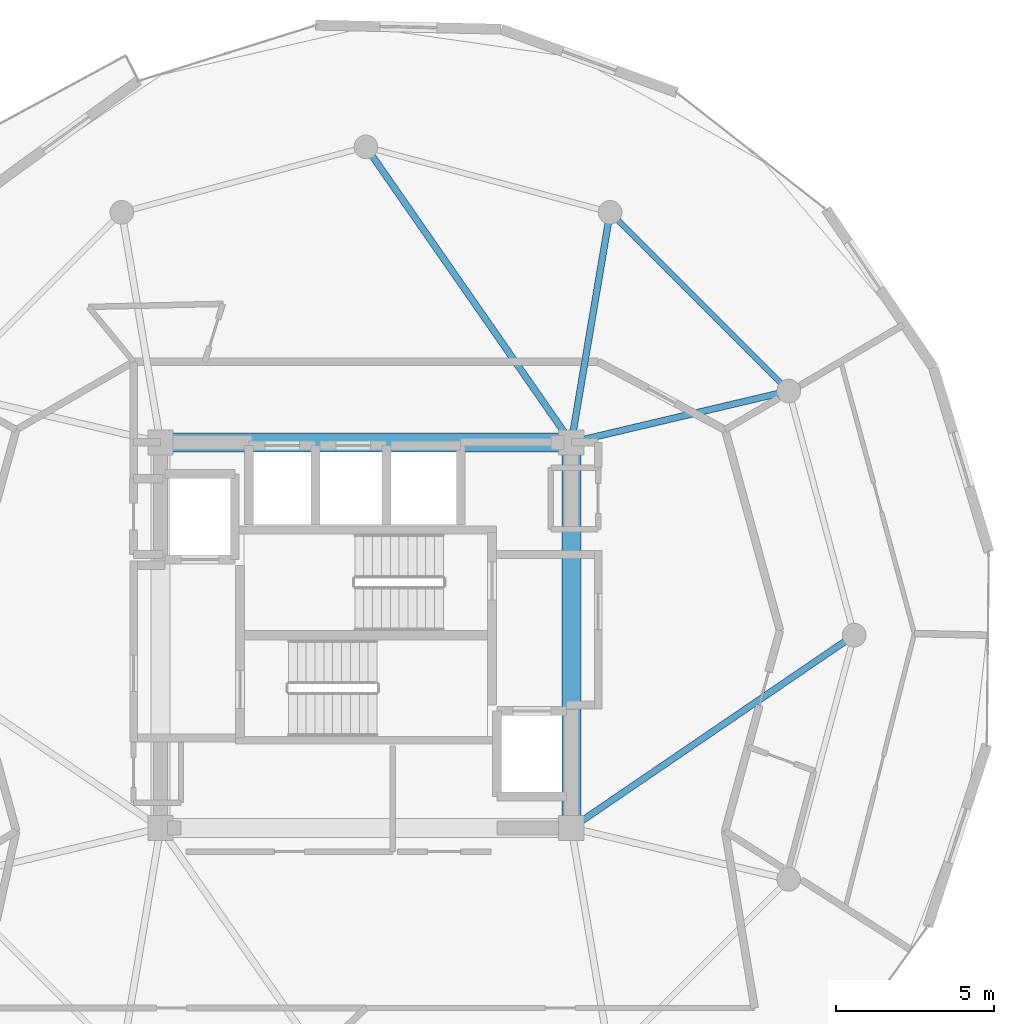
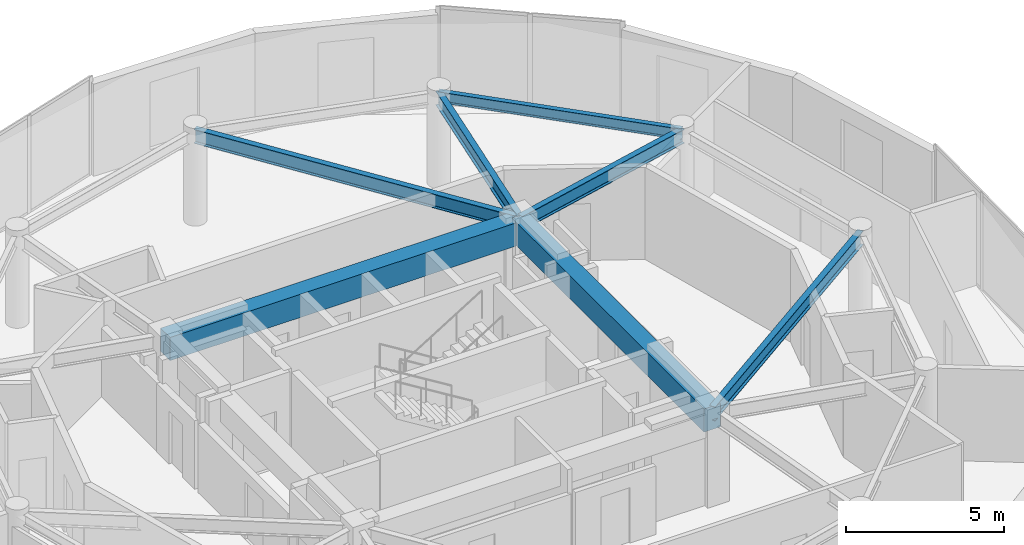
# One storey, part 8 of 19: 7 beams.
"""IFC4 building model written with IfcOpenShell, lengths in metres."""

from ifc_helpers import new_model, si_unit, direction, frame, origin, origin_2d, place, context, subcontext, project, spatial, rectangle, i_section, extrude, material, material_profile, profile_set, type_object, element, save


model = new_model("IFC4")

# Units and contexts
model_context = context("Model", 3, precision=1e-05, world=origin(), true_north=direction((0.0, 1.0)))
body_context = subcontext(model_context, "Body", "Model", "MODEL_VIEW")
ifc_project = project(units=[si_unit("LENGTHUNIT", "METRE"), si_unit("AREAUNIT", "SQUARE_METRE"), si_unit("VOLUMEUNIT", "CUBIC_METRE"), si_unit("PLANEANGLEUNIT", "RADIAN"), si_unit("MASSUNIT", "GRAM", prefix="KILO")], contexts=[model_context])

# Site, building, storey
site_placement = place(None, origin())
site = spatial("IfcSite", under=ifc_project, at=site_placement, CompositionType="ELEMENT")
building_placement = place(site_placement, origin())
building = spatial("IfcBuilding", under=site, at=building_placement, Name="Solvirekh Grand Hotel", CompositionType="ELEMENT")
storey_placement = place(building_placement, frame((0.0, 0.0, 254.39990234375)))
storey = spatial("IfcBuildingStorey", under=building, at=storey_placement, Name="L66", CompositionType="ELEMENT", Elevation=254.39990234375)

# Beams
ifc_material_1 = material(Name="Concrete C50/60", Category="concrete")
ifc_material_profile_1 = material_profile(ifc_material_1, rectangle(XDim=0.60009765625, YDim=0.89990234375, at=origin_2d()), Name="RC BEAM 600X900")
ifc_profile_set_1 = profile_set([ifc_material_profile_1], Name="Concrete C50/60")
beam_type_1 = type_object("IfcBeamType", Name="Beam_Core_RC900", PredefinedType="BEAM", material=ifc_profile_set_1)
beam_1_placement = place(storey_placement, frame((6.5, -6.10009765625, 3.1201171875), z_axis=(0.0, 1.0, 0.0), x_axis=(-1.0, 0.0, 0.0)))
element("IfcBeam", 1, at=beam_1_placement, inside=storey, type_object=beam_type_1, Name="L66 core coupling ring beam 2", PredefinedType="BEAM", context=body_context, shape_type="SweptSolid", body=[
    extrude(rectangle(XDim=0.60009765625, YDim=0.89990234375, at=origin_2d()), origin(), (0.0, 0.0, 1.0), 12.2001953125),
])
beam_2_placement = place(storey_placement, frame((6.5, 6.10009765625, 3.1201171875), z_axis=(-1.0, 0.0, 0.0), x_axis=(0.0, -1.0, 0.0)))
element("IfcBeam", 2, at=beam_2_placement, inside=storey, type_object=beam_type_1, Name="L66 core coupling ring beam 3", PredefinedType="BEAM", context=body_context, shape_type="SweptSolid", body=[
    extrude(rectangle(XDim=0.60009765625, YDim=0.89990234375, at=origin_2d()), origin(), (0.0, 0.0, 1.0), 13.0),
])
ifc_material_2 = material(Name="Steel S355", Category="steel")
ifc_material_profile_2 = material_profile(ifc_material_2, i_section(OverallWidth=0.2119140625, OverallDepth=0.5439453125, WebThickness=0.011962890625, FlangeThickness=0.01904296875, FilletRadius=0.013916015625, at=origin_2d()), Name="W530X123")
ifc_profile_set_2 = profile_set([ifc_material_profile_2], Name="Steel S355")
beam_type_2 = type_object("IfcBeamType", Name="Beam_Radial_W530H", PredefinedType="BEAM", material=ifc_profile_set_2)
beam_3_placement = place(storey_placement, frame((6.5, -6.10009765625, 3.298095703125), z_axis=(0.826319370306, 0.563201827285, 0.0), x_axis=(-0.563201827285, 0.826319370306, 0.0)))
element("IfcBeam", 3, at=beam_3_placement, inside=storey, type_object=beam_type_2, Name="L66 radial floor beam R01", PredefinedType="BEAM", context=body_context, shape_type="SweptSolid", body=[
    extrude(i_section(OverallWidth=0.2119140625, OverallDepth=0.5439453125, WebThickness=0.011962890625, FlangeThickness=0.01904296875, FilletRadius=0.013916015625, at=origin_2d()), origin(), (0.0, 0.0, 1.0), 10.8310546875),
])
beam_4_placement = place(storey_placement, frame((6.5, 6.10009765625, 3.298095703125), z_axis=(0.973221147544, 0.229870828888, 0.0), x_axis=(-0.229870828888, 0.973221147544, 0.0)))
element("IfcBeam", 4, at=beam_4_placement, inside=storey, type_object=beam_type_2, Name="L66 radial floor beam R02", PredefinedType="BEAM", context=body_context, shape_type="SweptSolid", body=[
    extrude(i_section(OverallWidth=0.2119140625, OverallDepth=0.5439453125, WebThickness=0.011962890625, FlangeThickness=0.01904296875, FilletRadius=0.013916015625, at=origin_2d()), origin(), (0.0, 0.0, 1.0), 7.069091796875),
])
beam_5_placement = place(storey_placement, frame((6.5, 6.10009765625, 3.298095703125), z_axis=(0.165954049106, 0.986133486697, 0.0), x_axis=(-0.986133486697, 0.165954049106, 0.0)))
element("IfcBeam", 5, at=beam_5_placement, inside=storey, type_object=beam_type_2, Name="L66 radial floor beam R03", PredefinedType="BEAM", context=body_context, shape_type="SweptSolid", body=[
    extrude(i_section(OverallWidth=0.2119140625, OverallDepth=0.5439453125, WebThickness=0.011962890625, FlangeThickness=0.01904296875, FilletRadius=0.013916015625, at=origin_2d()), origin(), (0.0, 0.0, 1.0), 7.382080078125),
])
beam_6_placement = place(storey_placement, frame((6.5, 6.10009765625, 3.298095703125), z_axis=(-0.570813192472, 0.821079959139, 0.0), x_axis=(-0.821079959139, -0.570813192472, 0.0)))
element("IfcBeam", 6, at=beam_6_placement, inside=storey, type_object=beam_type_2, Name="L66 radial floor beam R04", PredefinedType="BEAM", context=body_context, shape_type="SweptSolid", body=[
    extrude(i_section(OverallWidth=0.2119140625, OverallDepth=0.5439453125, WebThickness=0.011962890625, FlangeThickness=0.01904296875, FilletRadius=0.013916015625, at=origin_2d()), origin(), (0.0, 0.0, 1.0), 11.38720703125),
])
ifc_material_profile_3 = material_profile(ifc_material_2, i_section(OverallWidth=0.180908203125, OverallDepth=0.4169921875, WebThickness=0.010009765625, FlangeThickness=0.01611328125, FilletRadius=0.011962890625, at=origin_2d()), Name="W410X85")
ifc_profile_set_3 = profile_set([ifc_material_profile_3], Name="Steel S355")
beam_type_3 = type_object("IfcBeamType", Name="Spandrel_Ring_W410", PredefinedType="SPANDREL", material=ifc_profile_set_3)
beam_7_placement = place(storey_placement, frame((13.3798828125, 7.72509765625, 3.362060546875), z_axis=(-0.707106781187, 0.707106781187, 0.0), x_axis=(-0.707106781187, -0.707106781187, 0.0)))
element("IfcBeam", 7, at=beam_7_placement, inside=storey, type_object=beam_type_3, Name="L66 perimeter spandrel beam 2", PredefinedType="SPANDREL", context=body_context, shape_type="SweptSolid", body=[
    extrude(i_section(OverallWidth=0.180908203125, OverallDepth=0.4169921875, WebThickness=0.010009765625, FlangeThickness=0.01611328125, FilletRadius=0.011962890625, at=origin_2d()), origin(), (0.0, 0.0, 1.0), 7.9970703125),
])

save(model, "model.ifc")
